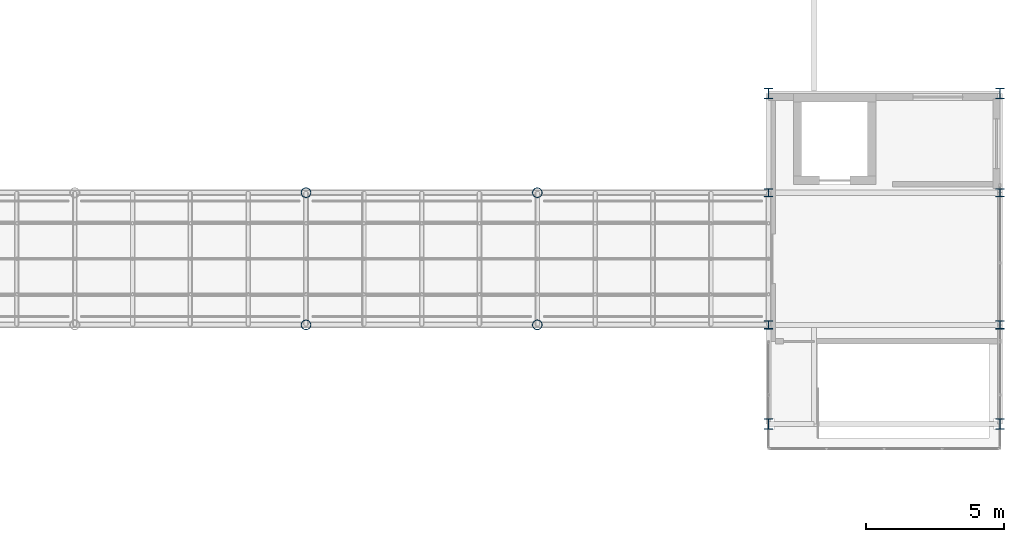
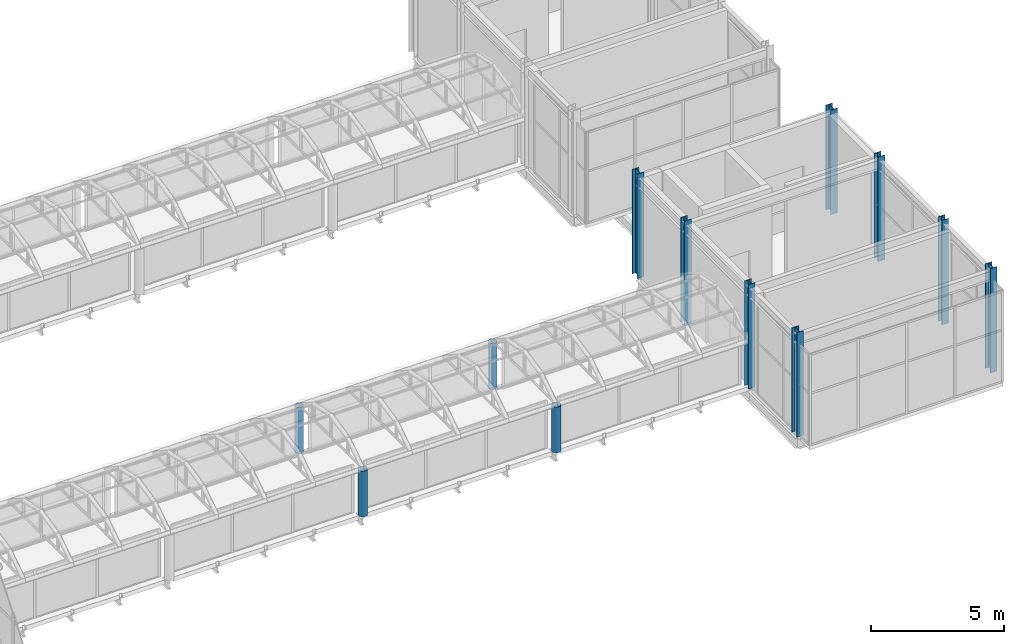
# One storey, part 3 of 167: 12 columns.
"""IFC4 building model written with IfcOpenShell, lengths in metres."""

from ifc_helpers import new_model, si_unit, direction, frame, origin, origin_2d, place, context, subcontext, project, spatial, hollow_circle, i_section, extrude, material, material_profile, profile_set, type_object, element, save


model = new_model("IFC4")

# Units and contexts
model_context = context("Model", 3, precision=1e-05, world=origin(), true_north=direction((0.0, 1.0)))
body_context = subcontext(model_context, "Body", "Model", "MODEL_VIEW")
ifc_project = project(units=[si_unit("LENGTHUNIT", "METRE"), si_unit("AREAUNIT", "SQUARE_METRE"), si_unit("VOLUMEUNIT", "CUBIC_METRE"), si_unit("PLANEANGLEUNIT", "RADIAN"), si_unit("MASSUNIT", "GRAM", prefix="KILO")], contexts=[model_context])

# Site, building, storey
site_placement = place(None, origin())
site = spatial("IfcSite", under=ifc_project, at=site_placement, CompositionType="ELEMENT")
building_placement = place(site_placement, origin())
building = spatial("IfcBuilding", under=site, at=building_placement, Name="Catenary Quay Ferry Terminal", CompositionType="ELEMENT")
storey_placement = place(building_placement, frame((0.0, 0.0, 6.0)))
storey = spatial("IfcBuildingStorey", under=building, at=storey_placement, Name="L01", CompositionType="ELEMENT", Elevation=6.0)

# Columns
ifc_material_1 = material(Name="Steel S355", Category="steel")
ifc_material_profile_1 = material_profile(ifc_material_1, hollow_circle(Radius=0.177734375, WallThickness=0.012451171875, at=origin_2d()), Name="CHS 355.6x12.5")
ifc_profile_set_1 = profile_set([ifc_material_profile_1], Name="Steel S355")
column_type_1 = type_object("IfcColumnType", Name="C5 CHS 355.6x12.5", PredefinedType="COLUMN", material=ifc_profile_set_1)
for number, where, z_axis, x_axis, name in (
    (1, (109.199951171875, 73.199951171875, 0.0), (0.0, 0.0, 1.0), (1.0, 0.0, 0.0), "Column C-BB1SN L01"),
    (2, (117.60009765625, 73.199951171875, 0.0), (0.0, 0.0, 1.0), (1.0, 0.0, 0.0), "Column C-BB1SO L01"),
    (3, (109.199951171875, 78.0, 0.0), (0.0, 0.0, 1.0), (1.0, 0.0, 0.0), "Column C-BB1NN L01"),
    (4, (117.60009765625, 78.0, 0.0), (0.0, 0.0, 1.0), (1.0, 0.0, 0.0), "Column C-BB1NO L01"),
):
    element("IfcColumn", number, at=place(storey_placement, frame(where, z_axis=z_axis, x_axis=x_axis)), inside=storey, type_object=column_type_1, Name=name, PredefinedType="COLUMN", context=body_context, shape_type="SweptSolid", body=[
        extrude(hollow_circle(Radius=0.177734375, WallThickness=0.012451171875, at=origin_2d()), origin(), (0.0, 0.0, 1.0), 2.10009765625),
    ])
ifc_material_2 = material(Name="Steel S355", Category="steel")
ifc_material_profile_2 = material_profile(ifc_material_2, i_section(OverallWidth=0.300048828125, OverallDepth=0.389892578125, WebThickness=0.010986328125, FlangeThickness=0.01904296875, at=origin_2d()), Name="HEA 400")
ifc_profile_set_2 = profile_set([ifc_material_profile_2], Name="Steel S355")
column_type_2 = type_object("IfcColumnType", Name="C7 HEA 400", PredefinedType="COLUMN", material=ifc_profile_set_2)
for number, where, z_axis, x_axis, name in (
    (5, (126.0, 69.60009765625, 0.0), (0.0, 0.0, 1.0), (1.0, 0.0, 0.0), "Column C-BH1P1 L01"),
    (6, (126.0, 81.60009765625, 0.0), (0.0, 0.0, 1.0), (1.0, 0.0, 0.0), "Column C-BH1P4 L01"),
    (7, (134.39990234375, 69.60009765625, 0.0), (0.0, 0.0, 1.0), (1.0, 0.0, 0.0), "Column C-BH1Q1 L01"),
    (8, (134.39990234375, 81.60009765625, 0.0), (0.0, 0.0, 1.0), (1.0, 0.0, 0.0), "Column C-BH1Q4 L01"),
):
    element("IfcColumn", number, at=place(storey_placement, frame(where, z_axis=z_axis, x_axis=x_axis)), inside=storey, type_object=column_type_2, Name=name, PredefinedType="COLUMN", context=body_context, shape_type="SweptSolid", body=[
        extrude(i_section(OverallWidth=0.300048828125, OverallDepth=0.389892578125, WebThickness=0.010986328125, FlangeThickness=0.01904296875, at=origin_2d()), origin(), (0.0, 0.0, 1.0), 4.800048828125),
    ])
ifc_material_3 = material(Name="Steel S355", Category="steel")
ifc_material_profile_3 = material_profile(ifc_material_3, i_section(OverallWidth=0.300048828125, OverallDepth=0.300048828125, WebThickness=0.010986328125, FlangeThickness=0.01904296875, at=origin_2d()), Name="HEB 300")
ifc_profile_set_3 = profile_set([ifc_material_profile_3], Name="Steel S355")
column_type_3 = type_object("IfcColumnType", Name="C8 HEB 300", PredefinedType="COLUMN", material=ifc_profile_set_3)
for number, where, z_axis, x_axis, name in (
    (9, (126.0, 73.199951171875, 0.0), (0.0, 0.0, 1.0), (1.0, 0.0, 0.0), "Column C-BH1P2 L01"),
    (10, (126.0, 78.0, 0.0), (0.0, 0.0, 1.0), (1.0, 0.0, 0.0), "Column C-BH1P3 L01"),
    (11, (134.39990234375, 73.199951171875, 0.0), (0.0, 0.0, 1.0), (1.0, 0.0, 0.0), "Column C-BH1Q2 L01"),
    (12, (134.39990234375, 78.0, 0.0), (0.0, 0.0, 1.0), (1.0, 0.0, 0.0), "Column C-BH1Q3 L01"),
):
    element("IfcColumn", number, at=place(storey_placement, frame(where, z_axis=z_axis, x_axis=x_axis)), inside=storey, type_object=column_type_3, Name=name, PredefinedType="COLUMN", context=body_context, shape_type="SweptSolid", body=[
        extrude(i_section(OverallWidth=0.300048828125, OverallDepth=0.300048828125, WebThickness=0.010986328125, FlangeThickness=0.01904296875, at=origin_2d()), origin(), (0.0, 0.0, 1.0), 4.800048828125),
    ])

save(model, "model.ifc")
